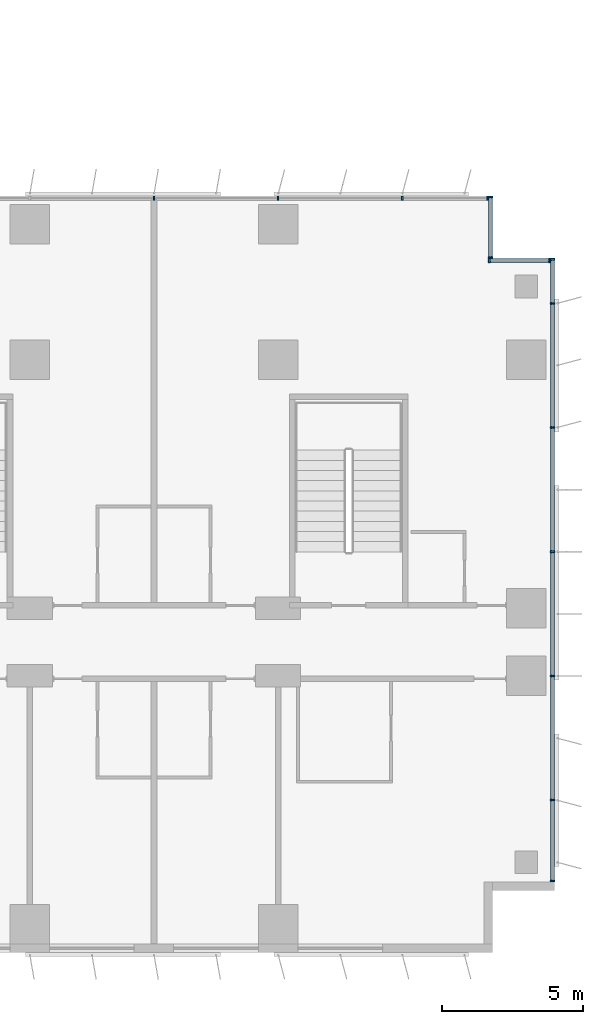
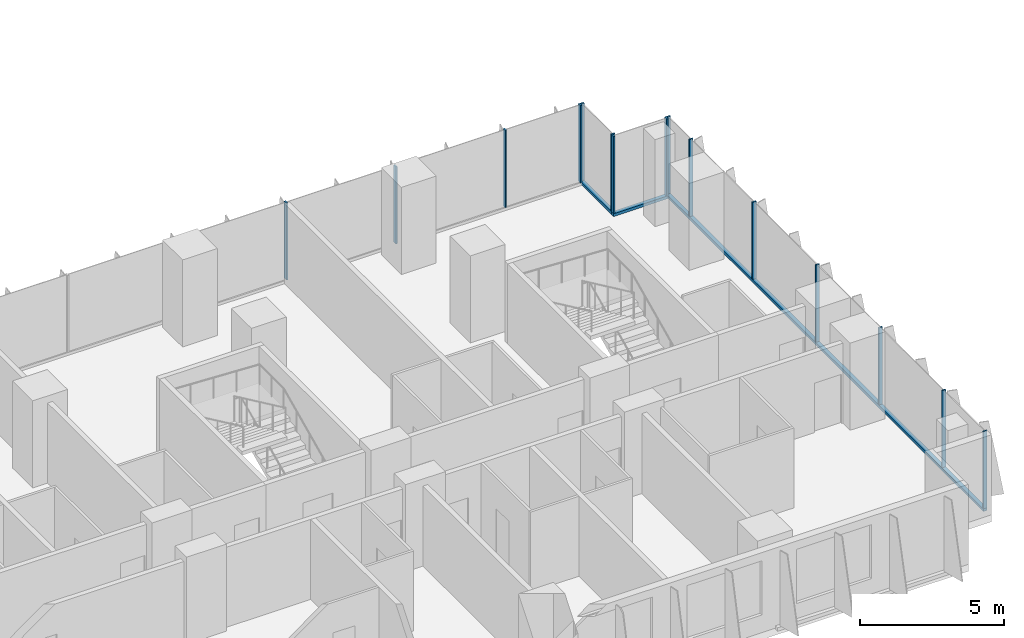
# One storey, part 8 of 24: 18 members, 4 elements without a shape of their own.
"""IFC4 building model written with IfcOpenShell, lengths in metres."""

import ifcopenshell
import ifcopenshell.guid

model = None  # the IFC model being written
_history = None  # IfcOwnerHistory: only IFC2X3 demands one
_inside = {}  # id of a spatial element -> (the spatial element, [elements in it])
_under = {}  # id of a project, library or spatial element -> (it, [spatial elements below it])
_declared = {}  # id of a project -> (the project, [libraries it declares])
_typed = {}  # id of a type object -> (the type object, [elements of that type])
_made_of = {}  # id of a material, layer set ... -> (it, [elements and type objects made of it])


def new_model(schema):
    """Start an empty IFC model of exactly this schema.

    Asked for "IFC4X3", IfcOpenShell would pick the latest addendum, in which some entities
    have other attributes; the version numbers below select the first issue.
    IFC2X3 requires an IfcOwnerHistory on every rooted entity: one is made here for all.
    """
    global model, _history
    if schema == "IFC4X3":
        model = ifcopenshell.file(schema_version=(4, 3, 0, 0))
    else:
        model = ifcopenshell.file(schema=schema)
    _inside.clear()
    _under.clear()
    _declared.clear()
    _typed.clear()
    _made_of.clear()
    _history = None
    if model.schema == "IFC2X3":
        org = make("IfcOrganization", Name="unknown")
        user = make(
            "IfcPersonAndOrganization",
            ThePerson=make("IfcPerson", FamilyName="unknown"),
            TheOrganization=org,
        )
        app = make(
            "IfcApplication",
            ApplicationDeveloper=org,
            Version="unknown",
            ApplicationFullName="unknown",
            ApplicationIdentifier="unknown",
        )
        _history = make(
            "IfcOwnerHistory",
            OwningUser=user,
            OwningApplication=app,
            ChangeAction="ADDED",
            CreationDate=0,
        )
    return model


def make(cls, **values):
    """One entity of the class cls with the attributes given. An attribute that is None is left unset."""
    return model.create_entity(
        cls, **{name: value for name, value in values.items() if value is not None}
    )


def rooted(cls, **values):
    """An entity with a GlobalId (a new one), such as an element, a storey or a relation."""
    return make(cls, GlobalId=ifcopenshell.guid.new(), OwnerHistory=_history, **values)


def si_unit(unit_type, name, prefix=None):
    """IfcSIUnit, for example si_unit("LENGTHUNIT", "METRE", prefix="MILLI")."""
    return make("IfcSIUnit", UnitType=unit_type, Prefix=prefix, Name=name)


def assignment(units):
    """IfcUnitAssignment: the units of a project."""
    return None if units is None else make("IfcUnitAssignment", Units=units)


def point(xyz):
    """IfcCartesianPoint."""
    return None if xyz is None else make("IfcCartesianPoint", Coordinates=xyz)


def direction(xyz):
    """IfcDirection."""
    return None if xyz is None else make("IfcDirection", DirectionRatios=xyz)


def frame(location, z_axis=None, x_axis=None):
    """IfcAxis2Placement3D, a coordinate frame: its origin and axes. An axis left out is left unset."""
    return make(
        "IfcAxis2Placement3D",
        Location=point(location),
        Axis=direction(z_axis),
        RefDirection=direction(x_axis),
    )


def frame_2d(location, x_axis=None):
    """IfcAxis2Placement2D, a coordinate frame in the plane: its origin and x axis."""
    return make(
        "IfcAxis2Placement2D", Location=point(location), RefDirection=direction(x_axis)
    )


def origin():
    """The frame at (0, 0, 0) with its axes left unset."""
    return frame((0.0, 0.0, 0.0))


def origin_2d():
    """The frame at (0, 0) in the plane with its x axis left unset."""
    return frame_2d((0.0, 0.0))


def place(relative_to, where):
    """IfcLocalPlacement: puts the frame where relative to a parent placement (None: the world)."""
    return make(
        "IfcLocalPlacement", PlacementRelTo=relative_to, RelativePlacement=where
    )


def context(
    kind, dimensions, precision=None, world=None, true_north=None, identifier=None
):
    """IfcGeometricRepresentationContext, for example the 3D "Model" context."""
    return make(
        "IfcGeometricRepresentationContext",
        ContextIdentifier=identifier,
        ContextType=kind,
        CoordinateSpaceDimension=dimensions,
        Precision=precision,
        WorldCoordinateSystem=world,
        TrueNorth=true_north,
    )


def subcontext(parent, identifier, kind, view, scale=None):
    """IfcGeometricRepresentationSubContext, for example "Body" below "Model"."""
    return make(
        "IfcGeometricRepresentationSubContext",
        ContextIdentifier=identifier,
        ContextType=kind,
        ParentContext=parent,
        TargetScale=scale,
        TargetView=view,
    )


def project(units=None, contexts=None):
    """IfcProject with its units and contexts."""
    return rooted(
        "IfcProject",
        Name="project",
        RepresentationContexts=contexts,
        UnitsInContext=assignment(units),
    )


def spatial(cls, under=None, at=None, **own):
    """A site, building, storey or space (cls), placed at a placement, below another one or the project."""
    s = rooted(cls, ObjectPlacement=at, **own)
    if under is not None:
        _under.setdefault(under.id(), (under, []))[1].append(s)
    return s


def profile(cls, at=None, kind="AREA", **sizes):
    """A parametric profile (cls). Its sizes go by their IFC names, for example OverallWidth=200.0."""
    return make(cls, ProfileType=kind, Position=at, **sizes)


def rectangle(**sizes):
    """IfcRectangleProfileDef."""
    return profile("IfcRectangleProfileDef", **sizes)


def extrude(swept, where, along, depth):
    """IfcExtrudedAreaSolid: the profile swept, set in the frame where, extruded along a direction by depth."""
    return make(
        "IfcExtrudedAreaSolid",
        SweptArea=swept,
        Position=where,
        ExtrudedDirection=direction(along),
        Depth=depth,
    )


def shape(context_of_items, identifier, shape_type, items):
    """IfcShapeRepresentation: the items that make up one representation, for example the "Body"."""
    return make(
        "IfcShapeRepresentation",
        ContextOfItems=context_of_items,
        RepresentationIdentifier=identifier,
        RepresentationType=shape_type,
        Items=items,
    )


def source(mapping_origin, context_of_items, identifier, shape_type, items):
    """IfcRepresentationMap: a shape defined once, which mapped items show again and again."""
    return make(
        "IfcRepresentationMap",
        MappingOrigin=mapping_origin,
        MappedRepresentation=shape(context_of_items, identifier, shape_type, items),
    )


def transform(
    local_origin,
    x_axis=None,
    y_axis=None,
    z_axis=None,
    scale=None,
    scale2=None,
    scale3=None,
    uniform=True,
):
    """IfcCartesianTransformationOperator3D, or its non-uniform kind. x_axis, y_axis, z_axis: its Axis1, 2, 3."""
    if uniform:
        return make(
            "IfcCartesianTransformationOperator3D",
            Axis1=direction(x_axis),
            Axis2=direction(y_axis),
            LocalOrigin=point(local_origin),
            Scale=scale,
            Axis3=direction(z_axis),
        )
    return make(
        "IfcCartesianTransformationOperator3DnonUniform",
        Axis1=direction(x_axis),
        Axis2=direction(y_axis),
        LocalOrigin=point(local_origin),
        Scale=scale,
        Axis3=direction(z_axis),
        Scale2=scale2,
        Scale3=scale3,
    )


def mapped(mapping_source, mapping_target):
    """IfcMappedItem: shows the shape of a source again, moved by a transform."""
    return make(
        "IfcMappedItem", MappingSource=mapping_source, MappingTarget=mapping_target
    )


def material(Name=None, Category=None):
    """IfcMaterial."""
    return make("IfcMaterial", Name=Name, Category=Category)


def material_profile(
    of_material, cross_section, Name=None, Category=None, Priority=None
):
    """IfcMaterialProfile: a cross section and its material."""
    return make(
        "IfcMaterialProfile",
        Name=Name,
        Material=of_material,
        Profile=cross_section,
        Priority=Priority,
        Category=Category,
    )


def profile_set(profiles, Name=None, composite=None):
    """IfcMaterialProfileSet."""
    return make(
        "IfcMaterialProfileSet",
        Name=Name,
        MaterialProfiles=profiles,
        CompositeProfile=composite,
    )


def made_of(thing, what):
    """Note that an element or type object is made of a material, layer set ...; save() writes the relation."""
    if what is not None:
        _made_of.setdefault(what.id(), (what, []))[1].append(thing)
    return thing


def type_object(cls, material=None, **own):
    """A type object (cls), such as IfcWallType, which elements share."""
    return made_of(rooted(cls, **own), material)


def element(
    cls,
    number,
    at=None,
    inside=None,
    cuts=None,
    type_object=None,
    material=None,
    context=None,
    identifier="Body",
    shape_type=None,
    held_by="IfcProductDefinitionShape",
    body=None,
    shapes=None,
    **own,
):
    """One element of the class cls, such as IfcWall. Its Tag is "e" and its number.

    at: its placement. inside: the storey or other place that contains it. cuts: it is an
    opening in that element (IfcRelVoidsElement). A single representation is given by context,
    identifier, shape_type and body (its items); several are given by shapes. held_by: the class
    of the entity that holds the representations. save() writes the other relations.
    """
    e = rooted(cls, Tag="e%d" % number, ObjectPlacement=at, **own)
    if body is not None:
        shapes = [shape(context, identifier, shape_type, body)]
    if shapes is not None:
        e.Representation = make(held_by, Representations=shapes)
    if inside is not None:
        _inside.setdefault(inside.id(), (inside, []))[1].append(e)
    if cuts is not None:
        rooted(
            "IfcRelVoidsElement", RelatingBuildingElement=cuts, RelatedOpeningElement=e
        )
    if type_object is not None:
        _typed.setdefault(type_object.id(), (type_object, []))[1].append(e)
    return made_of(e, material)


def aggregate(whole, parts):
    """IfcRelAggregates: a whole, such as a stair, and the parts it consists of."""
    return rooted("IfcRelAggregates", RelatingObject=whole, RelatedObjects=parts)


def save(model, path):
    """Write the relations noted so far, then the file.

    IfcRelAggregates (storeys below a building ...), IfcRelContainedInSpatialStructure (elements
    in a storey), IfcRelDefinesByType, IfcRelAssociatesMaterial and IfcRelDeclares: one each for
    every whole, place, type object, material and project.
    """
    for whole, parts in _under.values():
        aggregate(whole, parts)
    for where, things in _inside.values():
        rooted(
            "IfcRelContainedInSpatialStructure",
            RelatedElements=things,
            RelatingStructure=where,
        )
    for kind, things in _typed.values():
        rooted("IfcRelDefinesByType", RelatedObjects=things, RelatingType=kind)
    for what, things in _made_of.values():
        rooted("IfcRelAssociatesMaterial", RelatedObjects=things, RelatingMaterial=what)
    for by, libraries in _declared.values():
        rooted("IfcRelDeclares", RelatingContext=by, RelatedDefinitions=libraries)
    model.write(path)


model = new_model("IFC4")

# Units and contexts
model_context = context("Model", 3, precision=1e-05, world=origin(), true_north=direction((0.0, 1.0)))
body_context = subcontext(model_context, "Body", "Model", "MODEL_VIEW")
ifc_project = project(units=[si_unit("LENGTHUNIT", "METRE"), si_unit("AREAUNIT", "SQUARE_METRE"), si_unit("VOLUMEUNIT", "CUBIC_METRE"), si_unit("PLANEANGLEUNIT", "RADIAN"), si_unit("MASSUNIT", "GRAM", prefix="KILO")], contexts=[model_context])

# Site, building, storey
site_placement = place(None, origin())
site = spatial("IfcSite", under=ifc_project, at=site_placement, CompositionType="ELEMENT")
building_placement = place(site_placement, origin())
building = spatial("IfcBuilding", under=site, at=building_placement, Name="Kemantara Hotel Tower", CompositionType="ELEMENT")
storey_placement = place(building_placement, frame((0.0, 0.0, 52.5)))
storey = spatial("IfcBuildingStorey", under=building, at=storey_placement, Name="L11", CompositionType="ELEMENT", Elevation=52.5)

# Curtain wall, member
ifc_material_1 = material(Name="Low-E tinted double insulated glass 36 mm", Category="glass")
curtain_wall_type = type_object("IfcCurtainWallType", Name="TOWER CURTAIN WALL, FRONT FACES", PredefinedType="USERDEFINED", material=ifc_material_1)
curtain_wall_1_placement = place(storey_placement, origin())
curtain_wall_1 = element("IfcCurtainWall", 1, at=curtain_wall_1_placement, inside=storey, type_object=curtain_wall_type, Name="CW4 L11 T1-R04-1", ObjectType="TOWER CURTAIN WALL, FRONT FACES", PredefinedType="USERDEFINED")
ifc_material_2 = material(Name="Aluminium 6063-T6 bronze anodised", Category="aluminium")
ifc_material_profile_1 = material_profile(ifc_material_2, rectangle(XDim=0.14990234375, YDim=0.1201171875, at=origin_2d()), Name="TOWER CURTAIN WALL, FRONT FACES TRANSOM")
ifc_profile_set_1 = profile_set([ifc_material_profile_1], Name="Aluminium 6063-T6 bronze anodised")
member_type_1 = type_object("IfcMemberType", Name="TOWER CURTAIN WALL, FRONT FACES TRANSOM", PredefinedType="USERDEFINED", material=ifc_profile_set_1)
member_1_placement = place(storey_placement, frame((81.125, 2.5, 0.06005859375), z_axis=(0.0, 1.0, 0.0), x_axis=(-1.0, 0.0, 0.0)))
member_1 = element("IfcMember", 2, at=member_1_placement, type_object=member_type_1, Name="CW4 sill transom T1-R04-1", ObjectType="TRANSOM", PredefinedType="USERDEFINED", context=body_context, shape_type="SweptSolid", body=[
    extrude(rectangle(XDim=0.14990234375, YDim=0.1201171875, at=origin_2d()), origin(), (0.0, 0.0, 1.0), 22.10009765625),
])

curtain_wall_2_placement = place(storey_placement, origin())
curtain_wall_2 = element("IfcCurtainWall", 3, at=curtain_wall_2_placement, inside=storey, type_object=curtain_wall_type, Name="CW4 L11 T1-R05-1", ObjectType="TOWER CURTAIN WALL, FRONT FACES", PredefinedType="USERDEFINED")
member_2_placement = place(storey_placement, frame((81.050048828125, 24.52490234375, 0.06005859375), z_axis=(-1.0, 0.0, 0.0), x_axis=(0.0, -1.0, 0.0)))
member_2 = element("IfcMember", 4, at=member_2_placement, type_object=member_type_1, Name="CW4 sill transom T1-R05-1", ObjectType="TRANSOM", PredefinedType="USERDEFINED", context=body_context, shape_type="SweptSolid", body=[
    extrude(rectangle(XDim=0.14990234375, YDim=0.1201171875, at=origin_2d()), origin(), (0.0, 0.0, 1.0), 2.199951171875),
])

curtain_wall_3_placement = place(storey_placement, origin())
curtain_wall_3 = element("IfcCurtainWall", 5, at=curtain_wall_3_placement, inside=storey, type_object=curtain_wall_type, Name="CW4 L11 T1-R06-1", ObjectType="TOWER CURTAIN WALL, FRONT FACES", PredefinedType="USERDEFINED")
member_3_placement = place(storey_placement, frame((78.925048828125, 24.60009765625, 0.06005859375), z_axis=(0.0, 1.0, 0.0), x_axis=(-1.0, 0.0, 0.0)))
member_3 = element("IfcMember", 6, at=member_3_placement, type_object=member_type_1, Name="CW4 sill transom T1-R06-1", ObjectType="TRANSOM", PredefinedType="USERDEFINED", context=body_context, shape_type="SweptSolid", body=[
    extrude(rectangle(XDim=0.14990234375, YDim=0.1201171875, at=origin_2d()), origin(), (0.0, 0.0, 1.0), 2.199951171875),
])

# Member
ifc_material_profile_2 = material_profile(ifc_material_2, rectangle(XDim=0.14990234375, YDim=0.06005859375, at=origin_2d()), Name="TOWER CURTAIN WALL, FRONT FACES MULLION")
ifc_profile_set_2 = profile_set([ifc_material_profile_2], Name="Aluminium 6063-T6 bronze anodised")
member_type_2 = type_object("IfcMemberType", Name="TOWER CURTAIN WALL, FRONT FACES MULLION", PredefinedType="MULLION", material=ifc_profile_set_2)
shared_shape = source(origin(), body_context, "Body", "SweptSolid", [
    extrude(rectangle(XDim=0.14990234375, YDim=0.06005859375, at=origin_2d()), origin(), (0.0, 0.0, 1.0), 3.27978515625),
])
member_4_placement = place(storey_placement, frame((81.125, 2.530029296875, 0.1201171875), z_axis=(0.0, 0.0, 1.0), x_axis=(-1.0, 0.0, 0.0)))
member_4 = element("IfcMember", 7, at=member_4_placement, type_object=member_type_2, Name="CW4 mullion T1-R04-1.1", PredefinedType="MULLION", context=body_context, shape_type="MappedRepresentation", body=[
    mapped(shared_shape, transform((0.0, 0.0, 0.0))),
])

member_5_placement = place(storey_placement, frame((81.125, 5.39990234375, 0.1201171875), z_axis=(0.0, 0.0, 1.0), x_axis=(-1.0, 0.0, 0.0)))
member_5 = element("IfcMember", 8, at=member_5_placement, type_object=member_type_2, Name="CW4 mullion T1-R04-1.2", PredefinedType="MULLION", context=body_context, shape_type="MappedRepresentation", body=[
    mapped(shared_shape, transform((0.0, 0.0, 0.0))),
])

member_6_placement = place(storey_placement, frame((81.125, 9.800048828125, 0.1201171875), z_axis=(0.0, 0.0, 1.0), x_axis=(-1.0, 0.0, 0.0)))
member_6 = element("IfcMember", 9, at=member_6_placement, type_object=member_type_2, Name="CW4 mullion T1-R04-1.3", PredefinedType="MULLION", context=body_context, shape_type="MappedRepresentation", body=[
    mapped(shared_shape, transform((0.0, 0.0, 0.0))),
])

member_7_placement = place(storey_placement, frame((81.125, 14.199951171875, 0.1201171875), z_axis=(0.0, 0.0, 1.0), x_axis=(-1.0, 0.0, 0.0)))
member_7 = element("IfcMember", 10, at=member_7_placement, type_object=member_type_2, Name="CW4 mullion T1-R04-1.4", PredefinedType="MULLION", context=body_context, shape_type="MappedRepresentation", body=[
    mapped(shared_shape, transform((0.0, 0.0, 0.0))),
])

member_8_placement = place(storey_placement, frame((81.125, 18.60009765625, 0.1201171875), z_axis=(0.0, 0.0, 1.0), x_axis=(-1.0, 0.0, 0.0)))
member_8 = element("IfcMember", 11, at=member_8_placement, type_object=member_type_2, Name="CW4 mullion T1-R04-1.5", PredefinedType="MULLION", context=body_context, shape_type="MappedRepresentation", body=[
    mapped(shared_shape, transform((0.0, 0.0, 0.0))),
])

member_9_placement = place(storey_placement, frame((81.125, 23.0, 0.1201171875), z_axis=(0.0, 0.0, 1.0), x_axis=(-1.0, 0.0, 0.0)))
member_9 = element("IfcMember", 12, at=member_9_placement, type_object=member_type_2, Name="CW4 mullion T1-R04-1.6", PredefinedType="MULLION", context=body_context, shape_type="MappedRepresentation", body=[
    mapped(shared_shape, transform((0.0, 0.0, 0.0))),
])

member_10_placement = place(storey_placement, frame((81.125, 24.570068359375, 0.1201171875), z_axis=(0.0, 0.0, 1.0), x_axis=(-1.0, 0.0, 0.0)))
member_10 = element("IfcMember", 13, at=member_10_placement, type_object=member_type_2, Name="CW4 mullion T1-R04-1.7", PredefinedType="MULLION", context=body_context, shape_type="MappedRepresentation", body=[
    mapped(shared_shape, transform((0.0, 0.0, 0.0))),
])

aggregate(curtain_wall_1, [member_1, member_4, member_5, member_6, member_7, member_8, member_9, member_10])

# Curtain wall, members
curtain_wall_4_placement = place(storey_placement, origin())
curtain_wall_4 = element("IfcCurtainWall", 14, at=curtain_wall_4_placement, inside=storey, type_object=curtain_wall_type, Name="CW4 L11 T1-R07-1", ObjectType="TOWER CURTAIN WALL, FRONT FACES", PredefinedType="USERDEFINED")
member_11_placement = place(storey_placement, frame((78.820068359375, 26.72509765625, 0.1201171875), z_axis=(0.0, 0.0, 1.0), x_axis=(0.0, -1.0, 0.0)))
member_11 = element("IfcMember", 15, at=member_11_placement, type_object=member_type_2, Name="CW4 mullion T1-R07-1.1", PredefinedType="MULLION", context=body_context, shape_type="MappedRepresentation", body=[
    mapped(shared_shape, transform((0.0, 0.0, 0.0))),
])
member_12_placement = place(storey_placement, frame((75.800048828125, 26.72509765625, 0.1201171875), z_axis=(0.0, 0.0, 1.0), x_axis=(0.0, -1.0, 0.0)))
member_12 = element("IfcMember", 16, at=member_12_placement, type_object=member_type_2, Name="CW4 mullion T1-R07-1.2", PredefinedType="MULLION", context=body_context, shape_type="MappedRepresentation", body=[
    mapped(shared_shape, transform((0.0, 0.0, 0.0))),
])
member_13_placement = place(storey_placement, frame((71.39990234375, 26.72509765625, 0.1201171875), z_axis=(0.0, 0.0, 1.0), x_axis=(0.0, -1.0, 0.0)))
member_13 = element("IfcMember", 17, at=member_13_placement, type_object=member_type_2, Name="CW4 mullion T1-R07-1.3", PredefinedType="MULLION", context=body_context, shape_type="MappedRepresentation", body=[
    mapped(shared_shape, transform((0.0, 0.0, 0.0))),
])
member_14_placement = place(storey_placement, frame((67.0, 26.72509765625, 0.1201171875), z_axis=(0.0, 0.0, 1.0), x_axis=(0.0, -1.0, 0.0)))
member_14 = element("IfcMember", 18, at=member_14_placement, type_object=member_type_2, Name="CW4 mullion T1-R07-1.4", PredefinedType="MULLION", context=body_context, shape_type="MappedRepresentation", body=[
    mapped(shared_shape, transform((0.0, 0.0, 0.0))),
])
aggregate(curtain_wall_4, [member_11, member_12, member_13, member_14])

# Member
member_15_placement = place(storey_placement, frame((81.02001953125, 24.52490234375, 0.1201171875), z_axis=(0.0, 0.0, 1.0), x_axis=(0.0, -1.0, 0.0)))
member_15 = element("IfcMember", 19, at=member_15_placement, type_object=member_type_2, Name="CW4 mullion T1-R05-1.1", PredefinedType="MULLION", context=body_context, shape_type="MappedRepresentation", body=[
    mapped(shared_shape, transform((0.0, 0.0, 0.0))),
])

member_16_placement = place(storey_placement, frame((78.8798828125, 24.52490234375, 0.1201171875), z_axis=(0.0, 0.0, 1.0), x_axis=(0.0, -1.0, 0.0)))
member_16 = element("IfcMember", 20, at=member_16_placement, type_object=member_type_2, Name="CW4 mullion T1-R05-1.2", PredefinedType="MULLION", context=body_context, shape_type="MappedRepresentation", body=[
    mapped(shared_shape, transform((0.0, 0.0, 0.0))),
])

aggregate(curtain_wall_2, [member_2, member_15, member_16])

member_17_placement = place(storey_placement, frame((78.925048828125, 24.6298828125, 0.1201171875), z_axis=(0.0, 0.0, 1.0), x_axis=(-1.0, 0.0, 0.0)))
member_17 = element("IfcMember", 21, at=member_17_placement, type_object=member_type_2, Name="CW4 mullion T1-R06-1.1", PredefinedType="MULLION", context=body_context, shape_type="MappedRepresentation", body=[
    mapped(shared_shape, transform((0.0, 0.0, 0.0))),
])

member_18_placement = place(storey_placement, frame((78.925048828125, 26.77001953125, 0.1201171875), z_axis=(0.0, 0.0, 1.0), x_axis=(-1.0, 0.0, 0.0)))
member_18 = element("IfcMember", 22, at=member_18_placement, type_object=member_type_2, Name="CW4 mullion T1-R06-1.2", PredefinedType="MULLION", context=body_context, shape_type="MappedRepresentation", body=[
    mapped(shared_shape, transform((0.0, 0.0, 0.0))),
])

aggregate(curtain_wall_3, [member_3, member_17, member_18])

save(model, "model.ifc")
